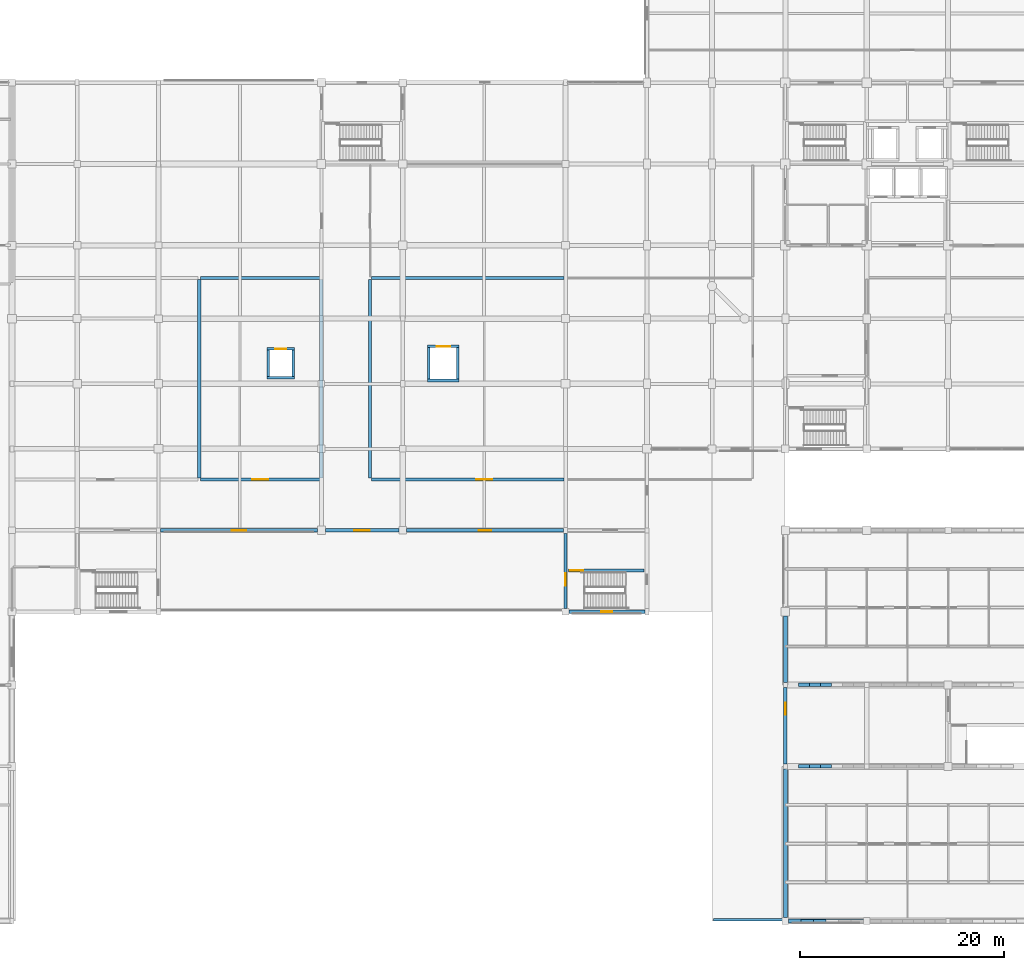
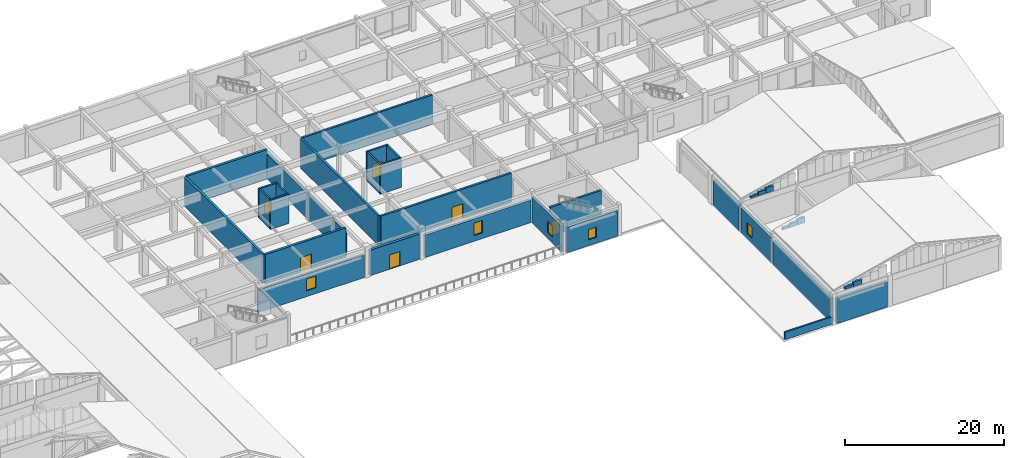
# One storey, part 47 of 61: 34 walls, 6 doors, 5 windows, 11 openings.
"""IFC4 building model written with IfcOpenShell, lengths in metres."""

from ifc_helpers import new_model, si_unit, direction, frame, frame_2d, origin, place, context, subcontext, project, spatial, rectangle, extrude, material, layer, layer_set, type_object, element, fill, save


model = new_model("IFC4")

# Units and contexts
model_context = context("Model", 3, precision=1e-05, world=origin(), true_north=direction((0.0, 1.0)))
body_context = subcontext(model_context, "Body", "Model", "MODEL_VIEW")
ifc_project = project(units=[si_unit("LENGTHUNIT", "METRE"), si_unit("AREAUNIT", "SQUARE_METRE"), si_unit("VOLUMEUNIT", "CUBIC_METRE"), si_unit("PLANEANGLEUNIT", "RADIAN"), si_unit("MASSUNIT", "GRAM", prefix="KILO")], contexts=[model_context])

# Site, building, storey
site_placement = place(None, origin())
site = spatial("IfcSite", under=ifc_project, at=site_placement, CompositionType="ELEMENT")
building_placement = place(site_placement, origin())
building = spatial("IfcBuilding", under=site, at=building_placement, Name="Vellmiral Cinema and Media Centre", CompositionType="ELEMENT")
storey_placement = place(building_placement, frame((0.0, 0.0, 10.800048828125)))
storey = spatial("IfcBuildingStorey", under=building, at=storey_placement, Name="L02", CompositionType="ELEMENT", Elevation=10.800048828125)

# Wall, opening, door
ifc_material_1 = material(Name="Calcium-Silicate Masonry Blockwork", Category="masonry")
ifc_layer_1 = layer(ifc_material_1, 0.10009765625, Name="Calcium-Silicate Masonry Blockwork", Category="masonry")
ifc_material_2 = material(Name="Mineral Wool Acoustic Insulation", Category="insulation")
ifc_layer_2 = layer(ifc_material_2, 0.090087890625, Name="Mineral Wool Acoustic Insulation", Category="insulation")
ifc_layer_3 = layer(ifc_material_1, 0.10009765625, Name="Calcium-Silicate Masonry Blockwork", Category="masonry")
ifc_layer_set_1 = layer_set([ifc_layer_1, ifc_layer_2, ifc_layer_3], Name="Calcium-Silicate Masonry Blockwork")
wall_type_1 = type_object("IfcWallType", Name="WL-AC-290", PredefinedType="SOLIDWALL", material=ifc_layer_set_1)
wall_1_placement = place(storey_placement, frame((83.340087890625, 56.199951171875, 0.0), z_axis=(0.0, 0.0, 1.0), x_axis=(1.0, 0.0, 0.0)))
wall_1 = element("IfcWall", 1, at=wall_1_placement, inside=storey, type_object=wall_type_1, Name="Recording Studio 2 Wall S", PredefinedType="SOLIDWALL", context=body_context, shape_type="SweptSolid", body=[
    extrude(rectangle(XDim=18.919921875, YDim=0.2900390625, at=frame_2d((9.4599609375, 0.0))), origin(), (0.0, 0.0, 1.0), 4.5),
])
opening_1_placement = place(wall_1_placement, frame((10.260009765625, 0.0, 0.0)))
opening_1 = element("IfcOpeningElement", 2, at=opening_1_placement, cuts=wall_1, Name="Opening D-AC2", PredefinedType="OPENING", context=body_context, shape_type="SweptSolid", body=[
    extrude(rectangle(XDim=1.60009765625, YDim=2.25, at=frame_2d((0.800048828125, 1.125))), frame((0.0, 0.156982421875, 0.0), z_axis=(0.0, -1.0, 0.0), x_axis=(1.0, 0.0, 0.0)), (0.0, 0.0, 1.0), 0.31396484375),
])
ifc_material_3 = material(Name="Acoustic Cinema Door", Category="steel")
door_type_1 = type_object("IfcDoorType", Name="DR-AC-1600x2250", OperationType="DOUBLE_DOOR_SINGLE_SWING", PredefinedType="DOOR", material=ifc_material_3)
door_1_placement = place(opening_1_placement, frame((1.60009765625, 0.0, 0.0), z_axis=(0.0, 0.0, 1.0), x_axis=(-1.0, 0.0, 0.0)))
door_1 = element("IfcDoor", 3, at=door_1_placement, inside=storey, type_object=door_type_1, Name="Recording Studio 2 Door", OperationType="DOUBLE_DOOR_SINGLE_SWING", OverallHeight=2.25, OverallWidth=1.60009765625, PredefinedType="DOOR", context=body_context, shape_type="SweptSolid", body=[
    extrude(rectangle(XDim=1.60009765625, YDim=2.25, at=frame_2d((0.800048828125, 1.125))), frame((0.0, 0.02490234375, 0.0), z_axis=(0.0, -1.0, 0.0), x_axis=(1.0, 0.0, 0.0)), (0.0, 0.0, 1.0), 0.050048828125),
])
fill(opening_1, door_1)

# Walls
wall_2_placement = place(storey_placement, frame((83.340087890625, 76.0, 0.0), z_axis=(0.0, 0.0, 1.0), x_axis=(1.0, 0.0, 0.0)))
element("IfcWall", 4, at=wall_2_placement, inside=storey, type_object=wall_type_1, Name="Recording Studio 2 Wall N", PredefinedType="SOLIDWALL", context=body_context, shape_type="SweptSolid", body=[
    extrude(rectangle(XDim=18.919921875, YDim=0.2900390625, at=frame_2d((9.4599609375, 0.0))), origin(), (0.0, 0.0, 1.0), 4.5),
])
wall_3_placement = place(storey_placement, frame((83.199951171875, 56.340087890625, 0.0), z_axis=(0.0, 0.0, 1.0), x_axis=(0.0, 1.0, 0.0)))
element("IfcWall", 5, at=wall_3_placement, inside=storey, type_object=wall_type_1, Name="Recording Studio 2 Wall W", PredefinedType="SOLIDWALL", context=body_context, shape_type="SweptSolid", body=[
    extrude(rectangle(XDim=19.52001953125, YDim=0.2900390625, at=frame_2d((9.760009765625, 0.0))), origin(), (0.0, 0.0, 1.0), 4.5),
])
ifc_material_4 = material(Name="Calcium-Silicate Masonry Blockwork", Category="masonry")
ifc_layer_4 = layer(ifc_material_4, 0.1201171875, Name="Calcium-Silicate Masonry Blockwork", Category="masonry")
ifc_material_5 = material(Name="Mineral Wool Acoustic Insulation", Category="insulation")
ifc_layer_5 = layer(ifc_material_5, 0.090087890625, Name="Mineral Wool Acoustic Insulation", Category="insulation")
ifc_layer_6 = layer(ifc_material_4, 0.1201171875, Name="Calcium-Silicate Masonry Blockwork", Category="masonry")
ifc_layer_set_2 = layer_set([ifc_layer_4, ifc_layer_5, ifc_layer_6], Name="Calcium-Silicate Masonry Blockwork")
wall_type_2 = type_object("IfcWallType", Name="WL-AC-330", PredefinedType="SOLIDWALL", material=ifc_layer_set_2)
wall_4_placement = place(storey_placement, frame((66.39990234375, 56.340087890625, 0.0), z_axis=(0.0, 0.0, 1.0), x_axis=(0.0, 1.0, 0.0)))
element("IfcWall", 6, at=wall_4_placement, inside=storey, type_object=wall_type_2, Name="Recording Studio 1 Wall E", PredefinedType="SOLIDWALL", context=body_context, shape_type="SweptSolid", body=[
    extrude(rectangle(XDim=19.52001953125, YDim=0.330078125, at=frame_2d((9.760009765625, 0.0))), origin(), (0.0, 0.0, 1.0), 4.5),
])

# Wall, opening, door
wall_5_placement = place(storey_placement, frame((66.5400390625, 56.199951171875, 0.0), z_axis=(0.0, 0.0, 1.0), x_axis=(1.0, 0.0, 0.0)))
wall_5 = element("IfcWall", 7, at=wall_5_placement, inside=storey, type_object=wall_type_2, Name="Recording Studio 3 Foley and Atmos Mixing Wall S", PredefinedType="SOLIDWALL", context=body_context, shape_type="SweptSolid", body=[
    extrude(rectangle(XDim=11.719970703125, YDim=0.330078125, at=frame_2d((5.85986328125, 0.0))), origin(), (0.0, 0.0, 1.0), 4.5),
])
opening_2_placement = place(wall_5_placement, frame((5.06005859375, 0.0, 0.0)))
opening_2 = element("IfcOpeningElement", 8, at=opening_2_placement, cuts=wall_5, Name="Opening D-AC2", PredefinedType="OPENING", context=body_context, shape_type="SweptSolid", body=[
    extrude(rectangle(XDim=1.60009765625, YDim=2.25, at=frame_2d((0.800048828125, 1.125))), frame((0.0, 0.177001953125, 0.0), z_axis=(0.0, -1.0, 0.0), x_axis=(1.0, 0.0, 0.0)), (0.0, 0.0, 1.0), 0.35400390625),
])
door_2_placement = place(opening_2_placement, frame((1.60009765625, 0.0, 0.0), z_axis=(0.0, 0.0, 1.0), x_axis=(-1.0, 0.0, 0.0)))
door_2 = element("IfcDoor", 9, at=door_2_placement, inside=storey, type_object=door_type_1, Name="Recording Studio 3 Foley and Atmos Mixing Door", OperationType="DOUBLE_DOOR_SINGLE_SWING", OverallHeight=2.25, OverallWidth=1.60009765625, PredefinedType="DOOR", context=body_context, shape_type="SweptSolid", body=[
    extrude(rectangle(XDim=1.60009765625, YDim=2.25, at=frame_2d((0.800048828125, 1.125))), frame((0.0, 0.02490234375, 0.0), z_axis=(0.0, -1.0, 0.0), x_axis=(1.0, 0.0, 0.0)), (0.0, 0.0, 1.0), 0.050048828125),
])
fill(opening_2, door_2)

# Walls
wall_6_placement = place(storey_placement, frame((66.5400390625, 76.0, 0.0), z_axis=(0.0, 0.0, 1.0), x_axis=(1.0, 0.0, 0.0)))
element("IfcWall", 10, at=wall_6_placement, inside=storey, type_object=wall_type_2, Name="Recording Studio 3 Foley and Atmos Mixing Wall N", PredefinedType="SOLIDWALL", context=body_context, shape_type="SweptSolid", body=[
    extrude(rectangle(XDim=11.719970703125, YDim=0.330078125, at=frame_2d((5.85986328125, 0.0))), origin(), (0.0, 0.0, 1.0), 4.5),
])
wall_7_placement = place(storey_placement, frame((78.39990234375, 56.340087890625, 0.0), z_axis=(0.0, 0.0, 1.0), x_axis=(0.0, 1.0, 0.0)))
element("IfcWall", 11, at=wall_7_placement, inside=storey, type_object=wall_type_2, Name="Recording Studio 3 Foley and Atmos Mixing Wall E", PredefinedType="SOLIDWALL", context=body_context, shape_type="SweptSolid", body=[
    extrude(rectangle(XDim=19.52001953125, YDim=0.330078125, at=frame_2d((9.760009765625, 0.0))), origin(), (0.0, 0.0, 1.0), 3.794921875),
])

# Wall, opening, door
ifc_material_6 = material(Name="Concrete C40/50", Category="concrete")
ifc_layer_7 = layer(ifc_material_6, 0.300048828125, Name="Concrete C40/50")
ifc_layer_set_3 = layer_set([ifc_layer_7], Name="Concrete C40/50")
wall_type_3 = type_object("IfcWallType", Name="WL-CORE-300", PredefinedType="SHEAR", material=ifc_layer_set_3)
wall_8_placement = place(storey_placement, frame((102.699951171875, 47.25, 0.0), z_axis=(0.0, 0.0, 1.0), x_axis=(1.0, 0.0, 0.0)))
wall_8 = element("IfcWall", 12, at=wall_8_placement, inside=storey, type_object=wall_type_3, Name="Stair Core Wall ST-P4 L02-N", PredefinedType="SHEAR", context=body_context, shape_type="SweptSolid", body=[
    extrude(rectangle(XDim=7.400146484375, YDim=0.300048828125, at=frame_2d((3.7001953125, 0.0))), origin(), (0.0, 0.0, 1.0), 4.5),
])
opening_3_placement = place(wall_8_placement, frame((0.159912109375, 0.0, 0.0)))
opening_3 = element("IfcOpeningElement", 13, at=opening_3_placement, cuts=wall_8, Name="Opening D-FD30A", PredefinedType="OPENING", context=body_context, shape_type="SweptSolid", body=[
    extrude(rectangle(XDim=1.300048828125, YDim=2.179931640625, at=frame_2d((0.64990234375, 1.08984375))), frame((0.0, 0.162109375, 0.0), z_axis=(0.0, -1.0, 0.0), x_axis=(1.0, 0.0, 0.0)), (0.0, 0.0, 1.0), 0.323974609375),
])
ifc_material_7 = material(Name="Steel Stair Fire Door", Category="steel")
door_type_2 = type_object("IfcDoorType", Name="DR-FD30-1300x2180", OperationType="NOTDEFINED", PredefinedType="DOOR", material=ifc_material_7)
door_3_placement = place(opening_3_placement, frame((1.300048828125, 0.0, 0.0), z_axis=(0.0, 0.0, 1.0), x_axis=(-1.0, 0.0, 0.0)))
door_3 = element("IfcDoor", 14, at=door_3_placement, inside=storey, type_object=door_type_2, Name="Protected Stair Door ST-P4 L02", OperationType="SINGLE_SWING_RIGHT", OverallHeight=2.179931640625, OverallWidth=1.300048828125, PredefinedType="DOOR", context=body_context, shape_type="SweptSolid", body=[
    extrude(rectangle(XDim=1.300048828125, YDim=2.179931640625, at=frame_2d((0.64990234375, 1.08984375))), frame((0.0, 0.02490234375, 0.0), z_axis=(0.0, -1.0, 0.0), x_axis=(1.0, 0.0, 0.0)), (0.0, 0.0, 1.0), 0.050048828125),
])
fill(opening_3, door_3)

# Wall, opening, window
ifc_material_8 = material(Name="Polychrome Glazed Ceramic Cladding", Category="masonry")
ifc_layer_8 = layer(ifc_material_8, 0.320068359375, Name="Polychrome Glazed Ceramic Cladding")
ifc_layer_set_4 = layer_set([ifc_layer_8], Name="Polychrome Glazed Ceramic Cladding")
wall_type_4 = type_object("IfcWallType", Name="WL-EXT-BRICK-320", PredefinedType="SOLIDWALL", material=ifc_layer_set_4)
wall_9_placement = place(storey_placement, frame((62.60009765625, 51.199951171875, 0.0), z_axis=(0.0, 0.0, 1.0), x_axis=(1.0, 0.0, 0.0)))
wall_9 = element("IfcWall", 15, at=wall_9_placement, inside=storey, type_object=wall_type_4, Name="Exterior Facade Wall L02-012", PredefinedType="SOLIDWALL", context=body_context, shape_type="SweptSolid", body=[
    extrude(rectangle(XDim=15.39990234375, YDim=0.320068359375, at=frame_2d((7.699951171875, 0.0))), origin(), (0.0, 0.0, 1.0), 3.48486328125),
])
opening_4_placement = place(wall_9_placement, frame((7.0, 0.0, 0.89990234375)))
opening_4 = element("IfcOpeningElement", 16, at=opening_4_placement, cuts=wall_9, Name="Opening WN-07", PredefinedType="OPENING", context=body_context, shape_type="SweptSolid", body=[
    extrude(rectangle(XDim=1.39990234375, YDim=1.800048828125, at=frame_2d((0.699951171875, 0.89990234375))), frame((0.0, 0.171875, 0.0), z_axis=(0.0, -1.0, 0.0), x_axis=(1.0, 0.0, 0.0)), (0.0, 0.0, 1.0), 0.343994140625),
])
ifc_material_9 = material(Name="Thermally Broken Aluminium Triple Glazing", Category="aluminium")
window_type_1 = type_object("IfcWindowType", Name="WN-1400x1800", PartitioningType="SINGLE_PANEL", PredefinedType="WINDOW", material=ifc_material_9)
window_1_placement = place(opening_4_placement, origin())
window_1 = element("IfcWindow", 17, at=window_1_placement, inside=storey, type_object=window_type_1, Name="Window L02-012", OverallHeight=1.800048828125, OverallWidth=1.39990234375, PartitioningType="SINGLE_PANEL", PredefinedType="WINDOW", context=body_context, shape_type="SweptSolid", body=[
    extrude(rectangle(XDim=1.39990234375, YDim=1.800048828125, at=frame_2d((0.699951171875, 0.89990234375))), frame((0.0, 0.030029296875, 0.0), z_axis=(0.0, -1.0, 0.0), x_axis=(1.0, 0.0, 0.0)), (0.0, 0.0, 1.0), 0.06005859375),
])
fill(opening_4, window_1)

wall_10_placement = place(storey_placement, frame((102.39990234375, 50.89990234375, 0.0), z_axis=(0.0, 0.0, 1.0), x_axis=(0.0, -1.0, 0.0)))
wall_10 = element("IfcWall", 18, at=wall_10_placement, inside=storey, type_object=wall_type_4, Name="Exterior Facade Wall L02-015", PredefinedType="SOLIDWALL", context=body_context, shape_type="SweptSolid", body=[
    extrude(rectangle(XDim=7.375, YDim=0.320068359375, at=frame_2d((3.6875, 0.0))), origin(), (0.0, 0.0, 1.0), 3.974853515625),
])
opening_5_placement = place(wall_10_placement, frame((3.9375, 0.0, 0.89990234375)))
opening_5 = element("IfcOpeningElement", 19, at=opening_5_placement, cuts=wall_10, Name="Opening WN-10", PredefinedType="OPENING", context=body_context, shape_type="SweptSolid", body=[
    extrude(rectangle(XDim=1.199951171875, YDim=1.699951171875, at=frame_2d((0.60009765625, 0.85009765625))), frame((0.0, 0.171875, 0.0), z_axis=(0.0, -1.0, 0.0), x_axis=(1.0, 0.0, 0.0)), (0.0, 0.0, 1.0), 0.343994140625),
])
ifc_material_10 = material(Name="Thermally Broken Aluminium Triple Glazing", Category="aluminium")
window_type_2 = type_object("IfcWindowType", Name="WN-1200x1700", PartitioningType="SINGLE_PANEL", PredefinedType="WINDOW", material=ifc_material_10)
window_2_placement = place(opening_5_placement, origin())
window_2 = element("IfcWindow", 20, at=window_2_placement, inside=storey, type_object=window_type_2, Name="Window L02-015", OverallHeight=1.699951171875, OverallWidth=1.199951171875, PartitioningType="SINGLE_PANEL", PredefinedType="WINDOW", context=body_context, shape_type="SweptSolid", body=[
    extrude(rectangle(XDim=1.199951171875, YDim=1.699951171875, at=frame_2d((0.60009765625, 0.85009765625))), frame((0.0, 0.030029296875, 0.0), z_axis=(0.0, -1.0, 0.0), x_axis=(1.0, 0.0, 0.0)), (0.0, 0.0, 1.0), 0.06005859375),
])
fill(opening_5, window_2)

wall_11_placement = place(storey_placement, frame((124.0, 35.75, 0.0), z_axis=(0.0, 0.0, 1.0), x_axis=(0.0, -1.0, 0.0)))
wall_11 = element("IfcWall", 21, at=wall_11_placement, inside=storey, type_object=wall_type_4, Name="Exterior Facade Wall L02-030", PredefinedType="SOLIDWALL", context=body_context, shape_type="SweptSolid", body=[
    extrude(rectangle(XDim=7.5, YDim=0.320068359375, at=frame_2d((3.75, 0.0))), origin(), (0.0, 0.0, 1.0), 3.89990234375),
])
opening_6_placement = place(wall_11_placement, frame((1.5, 0.0, 0.89990234375)))
opening_6 = element("IfcOpeningElement", 22, at=opening_6_placement, cuts=wall_11, Name="Opening WN-10", PredefinedType="OPENING", context=body_context, shape_type="SweptSolid", body=[
    extrude(rectangle(XDim=1.199951171875, YDim=1.699951171875, at=frame_2d((0.60009765625, 0.85009765625))), frame((0.0, 0.171875, 0.0), z_axis=(0.0, -1.0, 0.0), x_axis=(1.0, 0.0, 0.0)), (0.0, 0.0, 1.0), 0.343994140625),
])
window_3_placement = place(opening_6_placement, origin())
window_3 = element("IfcWindow", 23, at=window_3_placement, inside=storey, type_object=window_type_2, Name="Window L02-030", OverallHeight=1.699951171875, OverallWidth=1.199951171875, PartitioningType="SINGLE_PANEL", PredefinedType="WINDOW", context=body_context, shape_type="SweptSolid", body=[
    extrude(rectangle(XDim=1.199951171875, YDim=1.699951171875, at=frame_2d((0.60009765625, 0.85009765625))), frame((0.0, 0.030029296875, 0.0), z_axis=(0.0, -1.0, 0.0), x_axis=(1.0, 0.0, 0.0)), (0.0, 0.0, 1.0), 0.06005859375),
])
fill(opening_6, window_3)

# Walls
ifc_material_11 = material(Name="Vosges Red Sandstone Masonry", Category="masonry")
ifc_layer_9 = layer(ifc_material_11, 0.340087890625, Name="Vosges Red Sandstone Masonry")
ifc_layer_set_5 = layer_set([ifc_layer_9], Name="Vosges Red Sandstone Masonry")
wall_type_5 = type_object("IfcWallType", Name="WL-EXT-SAND-340", PredefinedType="SOLIDWALL", material=ifc_layer_set_5)
wall_12_placement = place(storey_placement, frame((125.550048828125, 12.800048828125, 4.800048828125), z_axis=(0.0, 0.0, 1.0), x_axis=(1.0, 0.0, 0.0)))
element("IfcWall", 24, at=wall_12_placement, inside=storey, type_object=wall_type_5, Name="Cinema Screen 5 Gable End Wall S-1", PredefinedType="SOLIDWALL", context=body_context, shape_type="SweptSolid", body=[
    extrude(rectangle(XDim=1.224853515625, YDim=0.340087890625, at=frame_2d((0.6123046875, 0.0))), origin(), (0.0, 0.0, 1.0), 0.386474609375),
])
wall_13_placement = place(storey_placement, frame((126.77490234375, 12.800048828125, 4.800048828125), z_axis=(0.0, 0.0, 1.0), x_axis=(1.0, 0.0, 0.0)))
element("IfcWall", 25, at=wall_13_placement, inside=storey, type_object=wall_type_5, Name="Cinema Screen 5 Gable End Wall S-2", PredefinedType="SOLIDWALL", context=body_context, shape_type="SweptSolid", body=[
    extrude(rectangle(XDim=1.22509765625, YDim=0.340087890625, at=frame_2d((0.612548828125, 0.0))), origin(), (0.0, 0.0, 1.0), 0.69189453125),
])
wall_14_placement = place(storey_placement, frame((125.28564453125, 28.0, 4.800048828125), z_axis=(0.0, 0.0, 1.0), x_axis=(1.0, 0.0, 0.0)))
element("IfcWall", 26, at=wall_14_placement, inside=storey, type_object=wall_type_5, Name="Cinema Screen 5 Gable End Wall N-1", PredefinedType="SOLIDWALL", context=body_context, shape_type="SweptSolid", body=[
    extrude(rectangle(XDim=1.085693359375, YDim=0.340087890625, at=frame_2d((0.54296875, 0.0))), origin(), (0.0, 0.0, 1.0), 0.320556640625),
])
wall_15_placement = place(storey_placement, frame((126.371337890625, 28.0, 4.800048828125), z_axis=(0.0, 0.0, 1.0), x_axis=(1.0, 0.0, 0.0)))
element("IfcWall", 27, at=wall_15_placement, inside=storey, type_object=wall_type_5, Name="Cinema Screen 5 Gable End Wall N-2", PredefinedType="SOLIDWALL", context=body_context, shape_type="SweptSolid", body=[
    extrude(rectangle(XDim=1.085693359375, YDim=0.340087890625, at=frame_2d((0.54296875, 0.0))), origin(), (0.0, 0.0, 1.0), 0.59130859375),
])
wall_16_placement = place(storey_placement, frame((127.45703125, 28.0, 4.800048828125), z_axis=(0.0, 0.0, 1.0), x_axis=(1.0, 0.0, 0.0)))
element("IfcWall", 28, at=wall_16_placement, inside=storey, type_object=wall_type_5, Name="Cinema Screen 5 Gable End Wall N-3", PredefinedType="SOLIDWALL", context=body_context, shape_type="SweptSolid", body=[
    extrude(rectangle(XDim=1.0859375, YDim=0.340087890625, at=frame_2d((0.54296875, 0.0))), origin(), (0.0, 0.0, 1.0), 0.86181640625),
])
wall_17_placement = place(storey_placement, frame((125.28564453125, 36.0, 4.800048828125), z_axis=(0.0, 0.0, 1.0), x_axis=(1.0, 0.0, 0.0)))
element("IfcWall", 29, at=wall_17_placement, inside=storey, type_object=wall_type_5, Name="Cinema Screen 6 Gable End Wall S-1", PredefinedType="SOLIDWALL", context=body_context, shape_type="SweptSolid", body=[
    extrude(rectangle(XDim=1.085693359375, YDim=0.340087890625, at=frame_2d((0.54296875, 0.0))), origin(), (0.0, 0.0, 1.0), 0.320556640625),
])
wall_18_placement = place(storey_placement, frame((126.371337890625, 36.0, 4.800048828125), z_axis=(0.0, 0.0, 1.0), x_axis=(1.0, 0.0, 0.0)))
element("IfcWall", 30, at=wall_18_placement, inside=storey, type_object=wall_type_5, Name="Cinema Screen 6 Gable End Wall S-2", PredefinedType="SOLIDWALL", context=body_context, shape_type="SweptSolid", body=[
    extrude(rectangle(XDim=1.085693359375, YDim=0.340087890625, at=frame_2d((0.54296875, 0.0))), origin(), (0.0, 0.0, 1.0), 0.59130859375),
])
wall_19_placement = place(storey_placement, frame((127.45703125, 36.0, 4.800048828125), z_axis=(0.0, 0.0, 1.0), x_axis=(1.0, 0.0, 0.0)))
element("IfcWall", 31, at=wall_19_placement, inside=storey, type_object=wall_type_5, Name="Cinema Screen 6 Gable End Wall S-3", PredefinedType="SOLIDWALL", context=body_context, shape_type="SweptSolid", body=[
    extrude(rectangle(XDim=1.0859375, YDim=0.340087890625, at=frame_2d((0.54296875, 0.0))), origin(), (0.0, 0.0, 1.0), 0.86181640625),
])

# Wall, opening, door
ifc_material_12 = material(Name="Vosges Red Sandstone Masonry", Category="masonry")
ifc_layer_10 = layer(ifc_material_12, 0.3798828125, Name="Vosges Red Sandstone Masonry")
ifc_layer_set_6 = layer_set([ifc_layer_10], Name="Vosges Red Sandstone Masonry")
wall_type_6 = type_object("IfcWallType", Name="WL-EXT-SAND-380", PredefinedType="SOLIDWALL", material=ifc_layer_set_6)
wall_20_placement = place(storey_placement, frame((78.800048828125, 51.199951171875, 0.0), z_axis=(0.0, 0.0, 1.0), x_axis=(1.0, 0.0, 0.0)))
wall_20 = element("IfcWall", 32, at=wall_20_placement, inside=storey, type_object=wall_type_6, Name="Exterior Facade Wall L02-013", PredefinedType="SOLIDWALL", context=body_context, shape_type="SweptSolid", body=[
    extrude(rectangle(XDim=7.224853515625, YDim=0.3798828125, at=frame_2d((3.6123046875, 0.0))), origin(), (0.0, 0.0, 1.0), 3.89990234375),
])
opening_7_placement = place(wall_20_placement, frame((2.85009765625, 0.0, 0.0)))
opening_7 = element("IfcOpeningElement", 33, at=opening_7_placement, cuts=wall_20, Name="Opening DE-04", PredefinedType="OPENING", context=body_context, shape_type="SweptSolid", body=[
    extrude(rectangle(XDim=1.5, YDim=2.199951171875, at=frame_2d((0.75, 1.10009765625))), frame((0.0, 0.201904296875, 0.0), z_axis=(0.0, -1.0, 0.0), x_axis=(1.0, 0.0, 0.0)), (0.0, 0.0, 1.0), 0.40380859375),
])
ifc_material_13 = material(Name="Thermally Broken Glazed Aluminium and Bronze Door", Category="aluminium")
door_type_3 = type_object("IfcDoorType", Name="DR-TER-1500x2200", OperationType="DOUBLE_DOOR_SINGLE_SWING", PredefinedType="DOOR", material=ifc_material_13)
door_4_placement = place(opening_7_placement, frame((1.5, 0.0, 0.0), z_axis=(0.0, 0.0, 1.0), x_axis=(-1.0, 0.0, 0.0)))
door_4 = element("IfcDoor", 34, at=door_4_placement, inside=storey, type_object=door_type_3, Name="Promenade Courtyard Terrace Door", OperationType="DOUBLE_DOOR_SINGLE_SWING", OverallHeight=2.199951171875, OverallWidth=1.5, PredefinedType="DOOR", context=body_context, shape_type="SweptSolid", body=[
    extrude(rectangle(XDim=1.5, YDim=2.199951171875, at=frame_2d((0.75, 1.10009765625))), frame((0.0, 0.02490234375, 0.0), z_axis=(0.0, -1.0, 0.0), x_axis=(1.0, 0.0, 0.0)), (0.0, 0.0, 1.0), 0.050048828125),
])
fill(opening_7, door_4)

# Wall, opening, window
wall_21_placement = place(storey_placement, frame((86.77490234375, 51.199951171875, 0.0), z_axis=(0.0, 0.0, 1.0), x_axis=(1.0, 0.0, 0.0)))
wall_21 = element("IfcWall", 35, at=wall_21_placement, inside=storey, type_object=wall_type_6, Name="Exterior Facade Wall L02-014", PredefinedType="SOLIDWALL", context=body_context, shape_type="SweptSolid", body=[
    extrude(rectangle(XDim=15.425048828125, YDim=0.3798828125, at=frame_2d((7.71240234375, 0.0))), origin(), (0.0, 0.0, 1.0), 3.43505859375),
])
opening_8_placement = place(wall_21_placement, frame((7.08740234375, 0.0, 0.89990234375)))
opening_8 = element("IfcOpeningElement", 36, at=opening_8_placement, cuts=wall_21, Name="Opening WN-09", PredefinedType="OPENING", context=body_context, shape_type="SweptSolid", body=[
    extrude(rectangle(XDim=1.25, YDim=1.89990234375, at=frame_2d((0.625, 0.949951171875))), frame((0.0, 0.201904296875, 0.0), z_axis=(0.0, -1.0, 0.0), x_axis=(1.0, 0.0, 0.0)), (0.0, 0.0, 1.0), 0.40380859375),
])
ifc_material_14 = material(Name="Thermally Broken Aluminium Triple Glazing", Category="aluminium")
window_type_3 = type_object("IfcWindowType", Name="WN-1250x1900", PartitioningType="SINGLE_PANEL", PredefinedType="WINDOW", material=ifc_material_14)
window_4_placement = place(opening_8_placement, origin())
window_4 = element("IfcWindow", 37, at=window_4_placement, inside=storey, type_object=window_type_3, Name="Window L02-014", OverallHeight=1.89990234375, OverallWidth=1.25, PartitioningType="SINGLE_PANEL", PredefinedType="WINDOW", context=body_context, shape_type="SweptSolid", body=[
    extrude(rectangle(XDim=1.25, YDim=1.89990234375, at=frame_2d((0.625, 0.949951171875))), frame((0.0, 0.030029296875, 0.0), z_axis=(0.0, -1.0, 0.0), x_axis=(1.0, 0.0, 0.0)), (0.0, 0.0, 1.0), 0.06005859375),
])
fill(opening_8, window_4)

wall_22_placement = place(storey_placement, frame((102.72509765625, 43.199951171875, 0.0), z_axis=(0.0, 0.0, 1.0), x_axis=(1.0, 0.0, 0.0)))
wall_22 = element("IfcWall", 38, at=wall_22_placement, inside=storey, type_object=wall_type_6, Name="Exterior Facade Wall L02-016", PredefinedType="SOLIDWALL", context=body_context, shape_type="SweptSolid", body=[
    extrude(rectangle(XDim=7.474853515625, YDim=0.3798828125, at=frame_2d((3.7373046875, 0.0))), origin(), (0.0, 0.0, 1.0), 3.89501953125),
])
opening_9_placement = place(wall_22_placement, frame((3.1875, 0.0, 0.89990234375)))
opening_9 = element("IfcOpeningElement", 39, at=opening_9_placement, cuts=wall_22, Name="Opening WN-11", PredefinedType="OPENING", context=body_context, shape_type="SweptSolid", body=[
    extrude(rectangle(XDim=1.10009765625, YDim=1.550048828125, at=frame_2d((0.550048828125, 0.77490234375))), frame((0.0, 0.201904296875, 0.0), z_axis=(0.0, -1.0, 0.0), x_axis=(1.0, 0.0, 0.0)), (0.0, 0.0, 1.0), 0.40380859375),
])
ifc_material_15 = material(Name="Thermally Broken Aluminium Triple Glazing", Category="aluminium")
window_type_4 = type_object("IfcWindowType", Name="WN-1100x1550", PartitioningType="SINGLE_PANEL", PredefinedType="WINDOW", material=ifc_material_15)
window_5_placement = place(opening_9_placement, origin())
window_5 = element("IfcWindow", 40, at=window_5_placement, inside=storey, type_object=window_type_4, Name="Window L02-016", OverallHeight=1.550048828125, OverallWidth=1.10009765625, PartitioningType="SINGLE_PANEL", PredefinedType="WINDOW", context=body_context, shape_type="SweptSolid", body=[
    extrude(rectangle(XDim=1.10009765625, YDim=1.550048828125, at=frame_2d((0.550048828125, 0.77490234375))), frame((0.0, 0.030029296875, 0.0), z_axis=(0.0, -1.0, 0.0), x_axis=(1.0, 0.0, 0.0)), (0.0, 0.0, 1.0), 0.06005859375),
])
fill(opening_9, window_5)

# Walls
wall_23_placement = place(storey_placement, frame((124.0, 42.77490234375, 0.0), z_axis=(0.0, 0.0, 1.0), x_axis=(0.0, -1.0, 0.0)))
element("IfcWall", 41, at=wall_23_placement, inside=storey, type_object=wall_type_6, Name="Exterior Facade Wall L02-029", PredefinedType="SOLIDWALL", context=body_context, shape_type="SweptSolid", body=[
    extrude(rectangle(XDim=6.52490234375, YDim=0.3798828125, at=frame_2d((3.262451171875, 0.0))), origin(), (0.0, 0.0, 1.0), 3.949951171875),
])
wall_24_placement = place(storey_placement, frame((124.0, 27.75, 0.0), z_axis=(0.0, 0.0, 1.0), x_axis=(0.0, -1.0, 0.0)))
element("IfcWall", 42, at=wall_24_placement, inside=storey, type_object=wall_type_6, Name="Exterior Facade Wall L02-031", PredefinedType="SOLIDWALL", context=body_context, shape_type="SweptSolid", body=[
    extrude(rectangle(XDim=14.625, YDim=0.3798828125, at=frame_2d((7.3125, 0.0))), origin(), (0.0, 0.0, 1.0), 3.699951171875),
])
wall_25_placement = place(storey_placement, frame((124.324951171875, 12.800048828125, 0.0), z_axis=(0.0, 0.0, 1.0), x_axis=(1.0, 0.0, 0.0)))
element("IfcWall", 43, at=wall_25_placement, inside=storey, type_object=wall_type_6, Name="Exterior Facade Wall L02-032", PredefinedType="SOLIDWALL", context=body_context, shape_type="SweptSolid", body=[
    extrude(rectangle(XDim=7.35009765625, YDim=0.3798828125, at=frame_2d((3.675048828125, 0.0))), origin(), (0.0, 0.0, 1.0), 3.89990234375),
])
ifc_material_16 = material(Name="Vosges Red Sandstone Masonry", Category="masonry")
ifc_layer_11 = layer(ifc_material_16, 0.239990234375, Name="Vosges Red Sandstone Masonry")
ifc_layer_set_7 = layer_set([ifc_layer_11], Name="Vosges Red Sandstone Masonry")
wall_type_7 = type_object("IfcWallType", Name="WL-PARAPET-240", PredefinedType="PARAPET", material=ifc_layer_set_7)
wall_26_placement = place(storey_placement, frame((116.919921875, 12.919921875, 0.0), z_axis=(0.0, 0.0, 1.0), x_axis=(1.0, 0.0, 0.0)))
element("IfcWall", 44, at=wall_26_placement, inside=storey, type_object=wall_type_7, Name="Roof Parapet Wall WING2-E-1", PredefinedType="PARAPET", context=body_context, shape_type="SweptSolid", body=[
    extrude(rectangle(XDim=6.9599609375, YDim=0.239990234375, at=frame_2d((3.47998046875, 0.0))), origin(), (0.0, 0.0, 1.0), 1.14990234375),
])
ifc_material_17 = material(Name="Concrete C40/50", Category="concrete")
ifc_layer_12 = layer(ifc_material_17, 0.25, Name="Concrete C40/50")
ifc_layer_set_8 = layer_set([ifc_layer_12], Name="Concrete C40/50")
wall_type_8 = type_object("IfcWallType", Name="WL-SHAFT-250", PredefinedType="SHEAR", material=ifc_layer_set_8)
wall_27_placement = place(storey_placement, frame((73.050048828125, 66.175048828125, 0.0), z_axis=(0.0, 0.0, 1.0), x_axis=(1.0, 0.0, 0.0)))
element("IfcWall", 45, at=wall_27_placement, inside=storey, type_object=wall_type_8, Name="Lift Shaft Wall LF-C2 L02-S", PredefinedType="SHEAR", context=body_context, shape_type="SweptSolid", body=[
    extrude(rectangle(XDim=2.699951171875, YDim=0.25, at=frame_2d((1.35009765625, 0.0))), origin(), (0.0, 0.0, 1.0), 4.5),
])

# Wall, opening, door
wall_28_placement = place(storey_placement, frame((73.050048828125, 69.02490234375, 0.0), z_axis=(0.0, 0.0, 1.0), x_axis=(1.0, 0.0, 0.0)))
wall_28 = element("IfcWall", 46, at=wall_28_placement, inside=storey, type_object=wall_type_8, Name="Lift Shaft Wall LF-C2 L02-N", PredefinedType="SHEAR", context=body_context, shape_type="SweptSolid", body=[
    extrude(rectangle(XDim=2.699951171875, YDim=0.25, at=frame_2d((1.35009765625, 0.0))), origin(), (0.0, 0.0, 1.0), 4.5),
])
opening_10_placement = place(wall_28_placement, frame((0.800048828125, 0.0, 0.0)))
opening_10 = element("IfcOpeningElement", 47, at=opening_10_placement, cuts=wall_28, Name="Opening LD-01", PredefinedType="OPENING", context=body_context, shape_type="SweptSolid", body=[
    extrude(rectangle(XDim=1.10009765625, YDim=2.14990234375, at=frame_2d((0.550048828125, 1.074951171875))), frame((0.0, 0.136962890625, 0.0), z_axis=(0.0, -1.0, 0.0), x_axis=(1.0, 0.0, 0.0)), (0.0, 0.0, 1.0), 0.27392578125),
])
ifc_material_18 = material(Name="Stainless Steel Lift Landing Door", Category="steel")
door_type_4 = type_object("IfcDoorType", Name="DR-LIFT-1100x2150", OperationType="SLIDING_TO_LEFT", PredefinedType="DOOR", material=ifc_material_18)
door_5_placement = place(opening_10_placement, origin())
door_5 = element("IfcDoor", 48, at=door_5_placement, inside=storey, type_object=door_type_4, Name="Lift Landing Door LF-C2 L02", OperationType="SLIDING_TO_LEFT", OverallHeight=2.14990234375, OverallWidth=1.10009765625, PredefinedType="DOOR", context=body_context, shape_type="SweptSolid", body=[
    extrude(rectangle(XDim=1.10009765625, YDim=2.14990234375, at=frame_2d((0.550048828125, 1.074951171875))), frame((0.0, 0.02490234375, 0.0), z_axis=(0.0, -1.0, 0.0), x_axis=(1.0, 0.0, 0.0)), (0.0, 0.0, 1.0), 0.050048828125),
])
fill(opening_10, door_5)

# Walls
for number, where, z_axis, x_axis, name in (
    (49, (73.175048828125, 66.300048828125, 0.0), (0.0, 0.0, 1.0), (0.0, 1.0, 0.0), "Lift Shaft Wall LF-C2 L02-W"),
    (50, (75.625, 66.300048828125, 0.0), (0.0, 0.0, 1.0), (0.0, 1.0, 0.0), "Lift Shaft Wall LF-C2 L02-E"),
):
    element("IfcWall", number, at=place(storey_placement, frame(where, z_axis=z_axis, x_axis=x_axis)), inside=storey, type_object=wall_type_8, Name=name, PredefinedType="SHEAR", context=body_context, shape_type="SweptSolid", body=[
        extrude(rectangle(XDim=2.599853515625, YDim=0.25, at=frame_2d((1.2998046875, 0.0))), origin(), (0.0, 0.0, 1.0), 4.5),
    ])
wall_29_placement = place(storey_placement, frame((88.85009765625, 65.925048828125, 0.0), z_axis=(0.0, 0.0, 1.0), x_axis=(1.0, 0.0, 0.0)))
element("IfcWall", 51, at=wall_29_placement, inside=storey, type_object=wall_type_8, Name="Lift Shaft Wall LF-G1 L02-S", PredefinedType="SHEAR", context=body_context, shape_type="SweptSolid", body=[
    extrude(rectangle(XDim=3.099853515625, YDim=0.25, at=frame_2d((1.5498046875, 0.0))), origin(), (0.0, 0.0, 1.0), 4.5),
])

# Wall, opening, door
wall_30_placement = place(storey_placement, frame((88.85009765625, 69.27490234375, 0.0), z_axis=(0.0, 0.0, 1.0), x_axis=(1.0, 0.0, 0.0)))
wall_30 = element("IfcWall", 52, at=wall_30_placement, inside=storey, type_object=wall_type_8, Name="Lift Shaft Wall LF-G1 L02-N", PredefinedType="SHEAR", context=body_context, shape_type="SweptSolid", body=[
    extrude(rectangle(XDim=3.099853515625, YDim=0.25, at=frame_2d((1.5498046875, 0.0))), origin(), (0.0, 0.0, 1.0), 4.5),
])
opening_11_placement = place(wall_30_placement, frame((0.875, 0.0, 0.0)))
opening_11 = element("IfcOpeningElement", 53, at=opening_11_placement, cuts=wall_30, Name="Opening LD-02", PredefinedType="OPENING", context=body_context, shape_type="SweptSolid", body=[
    extrude(rectangle(XDim=1.35009765625, YDim=2.199951171875, at=frame_2d((0.675048828125, 1.10009765625))), frame((0.0, 0.136962890625, 0.0), z_axis=(0.0, -1.0, 0.0), x_axis=(1.0, 0.0, 0.0)), (0.0, 0.0, 1.0), 0.27392578125),
])
ifc_material_19 = material(Name="Stainless Steel Goods Lift Landing Door", Category="steel")
door_type_5 = type_object("IfcDoorType", Name="DR-LIFT-1350x2200", OperationType="SLIDING_TO_LEFT", PredefinedType="DOOR", material=ifc_material_19)
door_6_placement = place(opening_11_placement, origin())
door_6 = element("IfcDoor", 54, at=door_6_placement, inside=storey, type_object=door_type_5, Name="Lift Landing Door LF-G1 L02", OperationType="SLIDING_TO_LEFT", OverallHeight=2.199951171875, OverallWidth=1.35009765625, PredefinedType="DOOR", context=body_context, shape_type="SweptSolid", body=[
    extrude(rectangle(XDim=1.35009765625, YDim=2.199951171875, at=frame_2d((0.675048828125, 1.10009765625))), frame((0.0, 0.02490234375, 0.0), z_axis=(0.0, -1.0, 0.0), x_axis=(1.0, 0.0, 0.0)), (0.0, 0.0, 1.0), 0.050048828125),
])
fill(opening_11, door_6)

# Walls
for number, where, z_axis, x_axis, name in (
    (55, (88.97509765625, 66.050048828125, 0.0), (0.0, 0.0, 1.0), (0.0, 1.0, 0.0), "Lift Shaft Wall LF-G1 L02-W"),
    (56, (91.824951171875, 66.050048828125, 0.0), (0.0, 0.0, 1.0), (0.0, 1.0, 0.0), "Lift Shaft Wall LF-G1 L02-E"),
):
    element("IfcWall", number, at=place(storey_placement, frame(where, z_axis=z_axis, x_axis=x_axis)), inside=storey, type_object=wall_type_8, Name=name, PredefinedType="SHEAR", context=body_context, shape_type="SweptSolid", body=[
        extrude(rectangle(XDim=3.099853515625, YDim=0.25, at=frame_2d((1.5498046875, 0.0))), origin(), (0.0, 0.0, 1.0), 4.5),
    ])

save(model, "model.ifc")
